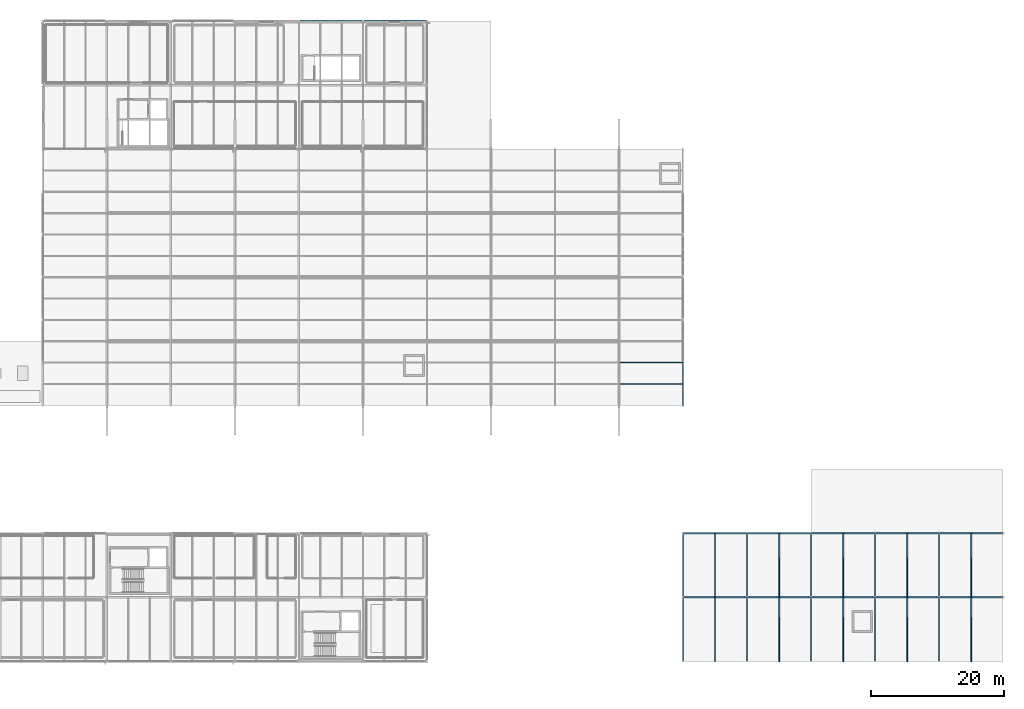
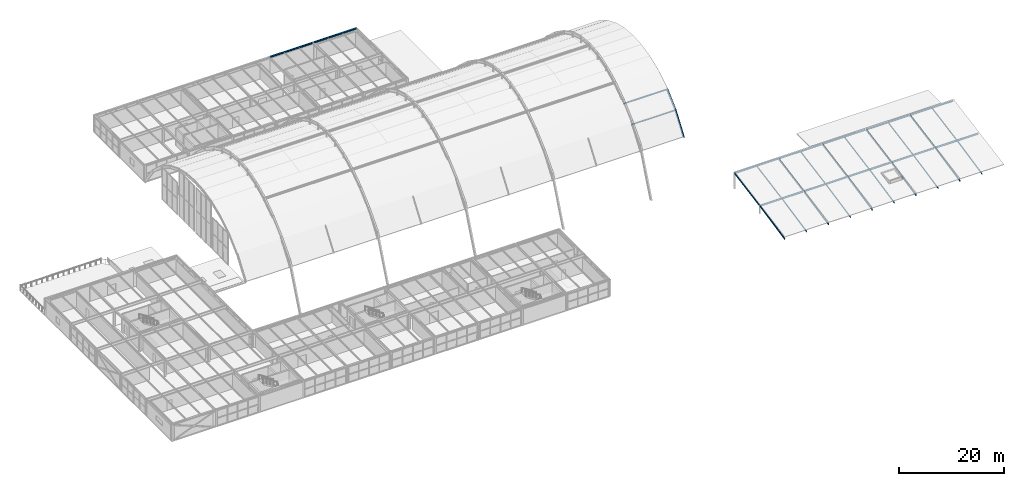
# One storey, part 94 of 126: 22 members, 14 beams.
"""IFC4 building model written with IfcOpenShell, lengths in metres."""

from ifc_helpers import new_model, si_unit, direction, frame, origin, origin_2d, place, context, subcontext, project, spatial, i_section, extrude, material, material_profile, profile_set, type_object, element, save


model = new_model("IFC4")

# Units and contexts
model_context = context("Model", 3, precision=1e-05, world=origin(), true_north=direction((0.0, 1.0)))
body_context = subcontext(model_context, "Body", "Model", "MODEL_VIEW")
ifc_project = project(units=[si_unit("LENGTHUNIT", "METRE"), si_unit("AREAUNIT", "SQUARE_METRE"), si_unit("VOLUMEUNIT", "CUBIC_METRE"), si_unit("PLANEANGLEUNIT", "RADIAN"), si_unit("MASSUNIT", "GRAM", prefix="KILO")], contexts=[model_context])

# Site, building, storey
site_placement = place(None, origin())
site = spatial("IfcSite", under=ifc_project, at=site_placement, CompositionType="ELEMENT")
building_placement = place(site_placement, origin())
building = spatial("IfcBuilding", under=site, at=building_placement, Name="Coralgate Yard Interchange", CompositionType="ELEMENT")
storey_placement = place(building_placement, frame((0.0, 0.0, 10.5)))
storey = spatial("IfcBuildingStorey", under=building, at=storey_placement, Name="L02", CompositionType="ELEMENT", Elevation=10.5)

# Beams
ifc_material_1 = material(Name="Structural steel S355J2", Category="steel")
ifc_material_profile_1 = material_profile(ifc_material_1, i_section(OverallWidth=0.177978515625, OverallDepth=0.406494140625, WebThickness=0.0078125, FlangeThickness=0.0126953125, FilletRadius=0.01025390625, at=origin_2d()), Name="UB 406x178x60")
ifc_profile_set_1 = profile_set([ifc_material_profile_1], Name="Structural steel S355J2")
beam_type_1 = type_object("IfcBeamType", Name="BM-SB-3", PredefinedType="BEAM", material=ifc_profile_set_1)
for number, where, z_axis, x_axis, name in (
    (1, (134.47998046875, 9.60009765625, 1.590087890625), (1.0, 0.0, 0.0), (0.0, 1.0, 0.0), "Cycle hub roof support girder MID-1"),
    (2, (144.080078125, 9.60009765625, 1.590087890625), (1.0, 0.0, 0.0), (0.0, 1.0, 0.0), "Cycle hub roof support girder MID-2"),
):
    element("IfcBeam", number, at=place(storey_placement, frame(where, z_axis=z_axis, x_axis=x_axis)), inside=storey, type_object=beam_type_1, Name=name, PredefinedType="BEAM", context=body_context, shape_type="SweptSolid", body=[
        extrude(i_section(OverallWidth=0.177978515625, OverallDepth=0.406494140625, WebThickness=0.0078125, FlangeThickness=0.0126953125, FilletRadius=0.01025390625, at=origin_2d()), origin(), (0.0, 0.0, 1.0), 9.43994140625),
    ])
beam_1_placement = place(storey_placement, frame((153.679931640625, 9.60009765625, 1.590087890625), z_axis=(1.0, 0.0, 0.0), x_axis=(0.0, 1.0, 0.0)))
element("IfcBeam", 3, at=beam_1_placement, inside=storey, type_object=beam_type_1, Name="Cycle hub roof support girder MID-3", PredefinedType="BEAM", context=body_context, shape_type="SweptSolid", body=[
    extrude(i_section(OverallWidth=0.177978515625, OverallDepth=0.406494140625, WebThickness=0.0078125, FlangeThickness=0.0126953125, FilletRadius=0.01025390625, at=origin_2d()), origin(), (0.0, 0.0, 1.0), 9.440185546875),
])
beam_2_placement = place(storey_placement, frame((163.280029296875, 9.60009765625, 1.590087890625), z_axis=(1.0, 0.0, 0.0), x_axis=(0.0, 1.0, 0.0)))
element("IfcBeam", 4, at=beam_2_placement, inside=storey, type_object=beam_type_1, Name="Cycle hub roof support girder MID-4", PredefinedType="BEAM", context=body_context, shape_type="SweptSolid", body=[
    extrude(i_section(OverallWidth=0.177978515625, OverallDepth=0.406494140625, WebThickness=0.0078125, FlangeThickness=0.0126953125, FilletRadius=0.01025390625, at=origin_2d()), origin(), (0.0, 0.0, 1.0), 9.43994140625),
])
beam_3_placement = place(storey_placement, frame((172.8798828125, 9.60009765625, 1.590087890625), z_axis=(1.0, 0.0, 0.0), x_axis=(0.0, 1.0, 0.0)))
element("IfcBeam", 5, at=beam_3_placement, inside=storey, type_object=beam_type_1, Name="Cycle hub roof support girder MID-5", PredefinedType="BEAM", context=body_context, shape_type="SweptSolid", body=[
    extrude(i_section(OverallWidth=0.177978515625, OverallDepth=0.406494140625, WebThickness=0.0078125, FlangeThickness=0.0126953125, FilletRadius=0.01025390625, at=origin_2d()), origin(), (0.0, 0.0, 1.0), 9.440185546875),
])
ifc_material_profile_2 = material_profile(ifc_material_1, i_section(OverallWidth=0.17138671875, OverallDepth=0.35498046875, WebThickness=0.00732421875, FlangeThickness=0.011474609375, FilletRadius=0.01025390625, at=origin_2d()), Name="UB 356x171x51")
ifc_profile_set_2 = profile_set([ifc_material_profile_2], Name="Structural steel S355J2")
beam_type_2 = type_object("IfcBeamType", Name="BM-SB-4", PredefinedType="BEAM", material=ifc_profile_set_2)
for number, where, z_axis, x_axis, name in (
    (6, (134.47998046875, 19.199951171875, 3.340087890625), (1.0, 0.0, 0.0), (0.0, 1.0, 0.0), "Cycle hub roof support girder HI-1"),
    (7, (144.080078125, 19.199951171875, 3.340087890625), (1.0, 0.0, 0.0), (0.0, 1.0, 0.0), "Cycle hub roof support girder HI-2"),
):
    element("IfcBeam", number, at=place(storey_placement, frame(where, z_axis=z_axis, x_axis=x_axis)), inside=storey, type_object=beam_type_2, Name=name, PredefinedType="BEAM", context=body_context, shape_type="SweptSolid", body=[
        extrude(i_section(OverallWidth=0.17138671875, OverallDepth=0.35498046875, WebThickness=0.00732421875, FlangeThickness=0.011474609375, FilletRadius=0.01025390625, at=origin_2d()), origin(), (0.0, 0.0, 1.0), 9.43994140625),
    ])
beam_4_placement = place(storey_placement, frame((153.679931640625, 19.199951171875, 3.340087890625), z_axis=(1.0, 0.0, 0.0), x_axis=(0.0, 1.0, 0.0)))
element("IfcBeam", 8, at=beam_4_placement, inside=storey, type_object=beam_type_2, Name="Cycle hub roof support girder HI-3", PredefinedType="BEAM", context=body_context, shape_type="SweptSolid", body=[
    extrude(i_section(OverallWidth=0.17138671875, OverallDepth=0.35498046875, WebThickness=0.00732421875, FlangeThickness=0.011474609375, FilletRadius=0.01025390625, at=origin_2d()), origin(), (0.0, 0.0, 1.0), 9.440185546875),
])
beam_5_placement = place(storey_placement, frame((163.280029296875, 19.199951171875, 3.340087890625), z_axis=(1.0, 0.0, 0.0), x_axis=(0.0, 1.0, 0.0)))
element("IfcBeam", 9, at=beam_5_placement, inside=storey, type_object=beam_type_2, Name="Cycle hub roof support girder HI-4", PredefinedType="BEAM", context=body_context, shape_type="SweptSolid", body=[
    extrude(i_section(OverallWidth=0.17138671875, OverallDepth=0.35498046875, WebThickness=0.00732421875, FlangeThickness=0.011474609375, FilletRadius=0.01025390625, at=origin_2d()), origin(), (0.0, 0.0, 1.0), 9.43994140625),
])
beam_6_placement = place(storey_placement, frame((172.8798828125, 19.199951171875, 3.340087890625), z_axis=(1.0, 0.0, 0.0), x_axis=(0.0, 1.0, 0.0)))
element("IfcBeam", 10, at=beam_6_placement, inside=storey, type_object=beam_type_2, Name="Cycle hub roof support girder HI-5", PredefinedType="BEAM", context=body_context, shape_type="SweptSolid", body=[
    extrude(i_section(OverallWidth=0.17138671875, OverallDepth=0.35498046875, WebThickness=0.00732421875, FlangeThickness=0.011474609375, FilletRadius=0.01025390625, at=origin_2d()), origin(), (0.0, 0.0, 1.0), 9.440185546875),
])
ifc_material_profile_3 = material_profile(ifc_material_1, i_section(OverallWidth=0.300048828125, OverallDepth=0.2900390625, WebThickness=0.008544921875, FlangeThickness=0.013916015625, FilletRadius=0.027099609375, at=origin_2d()), Name="HEA 300")
ifc_profile_set_3 = profile_set([ifc_material_profile_3], Name="Structural steel S355J2")
beam_type_3 = type_object("IfcBeamType", Name="BM-SP-2", PredefinedType="SPANDREL", material=ifc_profile_set_3)
beam_7_placement = place(storey_placement, frame((76.92724609375, 96.0, 3.804931640625), z_axis=(1.0, 0.0, 0.0), x_axis=(0.0, 1.0, 0.0)))
element("IfcBeam", 11, at=beam_7_placement, inside=storey, type_object=beam_type_3, Name="L02 primary grid beam Y10 X8-9", PredefinedType="SPANDREL", context=body_context, shape_type="SweptSolid", body=[
    extrude(i_section(OverallWidth=0.300048828125, OverallDepth=0.2900390625, WebThickness=0.008544921875, FlangeThickness=0.013916015625, FilletRadius=0.027099609375, at=origin_2d()), origin(), (0.0, 0.0, 1.0), 9.345458984375),
])
beam_8_placement = place(storey_placement, frame((86.527099609375, 96.0, 3.804931640625), z_axis=(1.0, 0.0, 0.0), x_axis=(0.0, 1.0, 0.0)))
element("IfcBeam", 12, at=beam_8_placement, inside=storey, type_object=beam_type_3, Name="L02 primary grid beam Y10 X9-10", PredefinedType="SPANDREL", context=body_context, shape_type="SweptSolid", body=[
    extrude(i_section(OverallWidth=0.300048828125, OverallDepth=0.2900390625, WebThickness=0.008544921875, FlangeThickness=0.013916015625, FilletRadius=0.027099609375, at=origin_2d()), origin(), (0.0, 0.0, 1.0), 9.345703125),
])
ifc_material_2 = material(Name="Weather-coated structural steel S355J2", Category="steel")
ifc_material_profile_4 = material_profile(ifc_material_2, i_section(OverallWidth=0.209228515625, OverallDepth=0.533203125, WebThickness=0.010009765625, FlangeThickness=0.015625, FilletRadius=0.0126953125, at=origin_2d()), Name="UB 533x210x92")
ifc_profile_set_4 = profile_set([ifc_material_profile_4], Name="Weather-coated structural steel S355J2")
beam_type_4 = type_object("IfcBeamType", Name="BM-VR-1", PredefinedType="BEAM", material=ifc_profile_set_4)
beam_9_placement = place(storey_placement, frame((134.39990234375, 38.39990234375, -0.053466796875), z_axis=(0.0, 0.58185107692, 0.813295348743), x_axis=(-1.0, 0.0, 0.0)))
element("IfcBeam", 13, at=beam_9_placement, inside=storey, type_object=beam_type_4, Name="Barrel-vault gridshell rib 11 seg 1", PredefinedType="BEAM", context=body_context, shape_type="SweptSolid", body=[
    extrude(i_section(OverallWidth=0.209228515625, OverallDepth=0.533203125, WebThickness=0.010009765625, FlangeThickness=0.015625, FilletRadius=0.0126953125, at=origin_2d()), origin(), (0.0, 0.0, 1.0), 5.5),
])
beam_10_placement = place(storey_placement, frame((134.39990234375, 41.60009765625, 4.419677734375), z_axis=(0.0, 0.739475275209, 0.673183717387), x_axis=(-1.0, 0.0, 0.0)))
element("IfcBeam", 14, at=beam_10_placement, inside=storey, type_object=beam_type_4, Name="Barrel-vault gridshell rib 11 seg 2", PredefinedType="BEAM", context=body_context, shape_type="SweptSolid", body=[
    extrude(i_section(OverallWidth=0.209228515625, OverallDepth=0.533203125, WebThickness=0.010009765625, FlangeThickness=0.015625, FilletRadius=0.0126953125, at=origin_2d()), origin(), (0.0, 0.0, 1.0), 4.327392578125),
])

# Members
ifc_material_profile_5 = material_profile(ifc_material_2, i_section(OverallWidth=0.110107421875, OverallDepth=0.219970703125, WebThickness=0.005859375, FlangeThickness=0.00927734375, FilletRadius=0.011962890625, at=origin_2d()), Name="IPE 220")
ifc_profile_set_5 = profile_set([ifc_material_profile_5], Name="Weather-coated structural steel S355J2")
member_type_1 = type_object("IfcMemberType", Name="MB-PR-1", PredefinedType="PURLIN", material=ifc_profile_set_5)
member_1_placement = place(storey_placement, frame((124.802001953125, 44.800048828125, 7.2392578125), z_axis=(1.0, 0.0, 0.0), x_axis=(0.0, 1.0, 0.0)))
element("IfcMember", 15, at=member_1_placement, inside=storey, type_object=member_type_1, Name="Barrel-vault gridshell purlin 10-3", PredefinedType="PURLIN", context=body_context, shape_type="SweptSolid", body=[
    extrude(i_section(OverallWidth=0.110107421875, OverallDepth=0.219970703125, WebThickness=0.005859375, FlangeThickness=0.00927734375, FilletRadius=0.011962890625, at=origin_2d()), origin(), (0.0, 0.0, 1.0), 9.595947265625),
])
ifc_material_3 = material(Name="Off-white architectural structural steel S355J2", Category="steel")
ifc_material_profile_6 = material_profile(ifc_material_3, i_section(OverallWidth=0.091064453125, OverallDepth=0.179931640625, WebThickness=0.00537109375, FlangeThickness=0.008056640625, FilletRadius=0.009033203125, at=origin_2d()), Name="IPE 180")
ifc_profile_set_6 = profile_set([ifc_material_profile_6], Name="Off-white architectural structural steel S355J2")
member_type_2 = type_object("IfcMemberType", Name="MB-PR-2", PredefinedType="PURLIN", material=ifc_profile_set_6)
member_2_placement = place(storey_placement, frame((124.802001953125, 41.60009765625, 4.3662109375), z_axis=(1.0, 0.0, 0.0), x_axis=(0.0, 1.0, 0.0)))
element("IfcMember", 16, at=member_2_placement, inside=storey, type_object=member_type_2, Name="Barrel-vault gridshell purlin 10-2", PredefinedType="PURLIN", context=body_context, shape_type="SweptSolid", body=[
    extrude(i_section(OverallWidth=0.091064453125, OverallDepth=0.179931640625, WebThickness=0.00537109375, FlangeThickness=0.008056640625, FilletRadius=0.009033203125, at=origin_2d()), origin(), (0.0, 0.0, 1.0), 9.595947265625),
])
ifc_material_profile_7 = material_profile(ifc_material_2, i_section(OverallWidth=0.159912109375, OverallDepth=0.330078125, WebThickness=0.007568359375, FlangeThickness=0.011474609375, FilletRadius=0.01806640625, at=origin_2d()), Name="IPE 330")
ifc_profile_set_7 = profile_set([ifc_material_profile_7], Name="Weather-coated structural steel S355J2")
member_type_3 = type_object("IfcMemberType", Name="MB-RF-1", PredefinedType="RAFTER", material=ifc_profile_set_7)
member_3_placement = place(storey_placement, frame((134.39990234375, 0.0, -0.300048828125), z_axis=(0.0, 0.979479292525, 0.201544822597), x_axis=(-1.0, 0.0, 0.0)))
element("IfcMember", 17, at=member_3_placement, inside=storey, type_object=member_type_3, Name="Cycle hub south-span roof rafter 1-1", PredefinedType="RAFTER", context=body_context, shape_type="SweptSolid", body=[
    extrude(i_section(OverallWidth=0.159912109375, OverallDepth=0.330078125, WebThickness=0.007568359375, FlangeThickness=0.011474609375, FilletRadius=0.01806640625, at=origin_2d()), origin(), (0.0, 0.0, 1.0), 9.750244140625),
])
member_4_placement = place(storey_placement, frame((134.39990234375, 9.64990234375, 1.6650390625), z_axis=(0.0, 0.983453188589, 0.181162429477), x_axis=(-1.0, 0.0, 0.0)))
element("IfcMember", 18, at=member_4_placement, inside=storey, type_object=member_type_3, Name="Cycle hub north-span roof rafter 1-1", PredefinedType="RAFTER", context=body_context, shape_type="SweptSolid", body=[
    extrude(i_section(OverallWidth=0.159912109375, OverallDepth=0.330078125, WebThickness=0.007568359375, FlangeThickness=0.011474609375, FilletRadius=0.01806640625, at=origin_2d()), origin(), (0.0, 0.0, 1.0), 9.659912109375),
])
member_5_placement = place(storey_placement, frame((144.0, 0.0, -0.300048828125), z_axis=(0.0, 0.979479292525, 0.201544822597), x_axis=(-1.0, 0.0, 0.0)))
element("IfcMember", 19, at=member_5_placement, inside=storey, type_object=member_type_3, Name="Cycle hub south-span roof rafter 2-1", PredefinedType="RAFTER", context=body_context, shape_type="SweptSolid", body=[
    extrude(i_section(OverallWidth=0.159912109375, OverallDepth=0.330078125, WebThickness=0.007568359375, FlangeThickness=0.011474609375, FilletRadius=0.01806640625, at=origin_2d()), origin(), (0.0, 0.0, 1.0), 9.750244140625),
])
member_6_placement = place(storey_placement, frame((144.0, 9.64990234375, 1.6650390625), z_axis=(0.0, 0.983453188589, 0.181162429477), x_axis=(-1.0, 0.0, 0.0)))
element("IfcMember", 20, at=member_6_placement, inside=storey, type_object=member_type_3, Name="Cycle hub north-span roof rafter 2-1", PredefinedType="RAFTER", context=body_context, shape_type="SweptSolid", body=[
    extrude(i_section(OverallWidth=0.159912109375, OverallDepth=0.330078125, WebThickness=0.007568359375, FlangeThickness=0.011474609375, FilletRadius=0.01806640625, at=origin_2d()), origin(), (0.0, 0.0, 1.0), 9.659912109375),
])
member_7_placement = place(storey_placement, frame((153.60009765625, 0.0, -0.300048828125), z_axis=(0.0, 0.979479292525, 0.201544822597), x_axis=(-1.0, 0.0, 0.0)))
element("IfcMember", 21, at=member_7_placement, inside=storey, type_object=member_type_3, Name="Cycle hub south-span roof rafter 3-1", PredefinedType="RAFTER", context=body_context, shape_type="SweptSolid", body=[
    extrude(i_section(OverallWidth=0.159912109375, OverallDepth=0.330078125, WebThickness=0.007568359375, FlangeThickness=0.011474609375, FilletRadius=0.01806640625, at=origin_2d()), origin(), (0.0, 0.0, 1.0), 9.750244140625),
])
member_8_placement = place(storey_placement, frame((153.60009765625, 9.64990234375, 1.6650390625), z_axis=(0.0, 0.983453188589, 0.181162429477), x_axis=(-1.0, 0.0, 0.0)))
element("IfcMember", 22, at=member_8_placement, inside=storey, type_object=member_type_3, Name="Cycle hub north-span roof rafter 3-1", PredefinedType="RAFTER", context=body_context, shape_type="SweptSolid", body=[
    extrude(i_section(OverallWidth=0.159912109375, OverallDepth=0.330078125, WebThickness=0.007568359375, FlangeThickness=0.011474609375, FilletRadius=0.01806640625, at=origin_2d()), origin(), (0.0, 0.0, 1.0), 9.659912109375),
])
member_9_placement = place(storey_placement, frame((163.199951171875, 0.0, -0.300048828125), z_axis=(0.0, 0.979479292525, 0.201544822597), x_axis=(-1.0, 0.0, 0.0)))
element("IfcMember", 23, at=member_9_placement, inside=storey, type_object=member_type_3, Name="Cycle hub south-span roof rafter 4-1", PredefinedType="RAFTER", context=body_context, shape_type="SweptSolid", body=[
    extrude(i_section(OverallWidth=0.159912109375, OverallDepth=0.330078125, WebThickness=0.007568359375, FlangeThickness=0.011474609375, FilletRadius=0.01806640625, at=origin_2d()), origin(), (0.0, 0.0, 1.0), 9.750244140625),
])
member_10_placement = place(storey_placement, frame((163.199951171875, 9.64990234375, 1.6650390625), z_axis=(0.0, 0.983453188589, 0.181162429477), x_axis=(-1.0, 0.0, 0.0)))
element("IfcMember", 24, at=member_10_placement, inside=storey, type_object=member_type_3, Name="Cycle hub north-span roof rafter 4-1", PredefinedType="RAFTER", context=body_context, shape_type="SweptSolid", body=[
    extrude(i_section(OverallWidth=0.159912109375, OverallDepth=0.330078125, WebThickness=0.007568359375, FlangeThickness=0.011474609375, FilletRadius=0.01806640625, at=origin_2d()), origin(), (0.0, 0.0, 1.0), 9.659912109375),
])
member_11_placement = place(storey_placement, frame((172.800048828125, 0.0, -0.300048828125), z_axis=(0.0, 0.979479292525, 0.201544822597), x_axis=(-1.0, 0.0, 0.0)))
element("IfcMember", 25, at=member_11_placement, inside=storey, type_object=member_type_3, Name="Cycle hub south-span roof rafter 5-1", PredefinedType="RAFTER", context=body_context, shape_type="SweptSolid", body=[
    extrude(i_section(OverallWidth=0.159912109375, OverallDepth=0.330078125, WebThickness=0.007568359375, FlangeThickness=0.011474609375, FilletRadius=0.01806640625, at=origin_2d()), origin(), (0.0, 0.0, 1.0), 9.750244140625),
])
member_12_placement = place(storey_placement, frame((172.800048828125, 9.64990234375, 1.6650390625), z_axis=(0.0, 0.983453188589, 0.181162429477), x_axis=(-1.0, 0.0, 0.0)))
element("IfcMember", 26, at=member_12_placement, inside=storey, type_object=member_type_3, Name="Cycle hub north-span roof rafter 5-1", PredefinedType="RAFTER", context=body_context, shape_type="SweptSolid", body=[
    extrude(i_section(OverallWidth=0.159912109375, OverallDepth=0.330078125, WebThickness=0.007568359375, FlangeThickness=0.011474609375, FilletRadius=0.01806640625, at=origin_2d()), origin(), (0.0, 0.0, 1.0), 9.659912109375),
])
ifc_material_profile_8 = material_profile(ifc_material_2, i_section(OverallWidth=0.135009765625, OverallDepth=0.27001953125, WebThickness=0.006591796875, FlangeThickness=0.01025390625, FilletRadius=0.014892578125, at=origin_2d()), Name="IPE 270")
ifc_profile_set_8 = profile_set([ifc_material_profile_8], Name="Weather-coated structural steel S355J2")
member_type_4 = type_object("IfcMemberType", Name="MB-RF-2", PredefinedType="RAFTER", material=ifc_profile_set_8)
member_13_placement = place(storey_placement, frame((139.199951171875, 0.0, -0.300048828125), z_axis=(0.0, 0.978867223773, 0.204496841595), x_axis=(-1.0, 0.0, 0.0)))
element("IfcMember", 27, at=member_13_placement, inside=storey, type_object=member_type_4, Name="Cycle hub south-span roof rafter 1-2", PredefinedType="RAFTER", context=body_context, shape_type="SweptSolid", body=[
    extrude(i_section(OverallWidth=0.135009765625, OverallDepth=0.27001953125, WebThickness=0.006591796875, FlangeThickness=0.01025390625, FilletRadius=0.014892578125, at=origin_2d()), origin(), (0.0, 0.0, 1.0), 9.756103515625),
])
member_14_placement = place(storey_placement, frame((139.199951171875, 9.64990234375, 1.695068359375), z_axis=(0.0, 0.983453188589, 0.181162429477), x_axis=(-1.0, 0.0, 0.0)))
element("IfcMember", 28, at=member_14_placement, inside=storey, type_object=member_type_4, Name="Cycle hub north-span roof rafter 1-2", PredefinedType="RAFTER", context=body_context, shape_type="SweptSolid", body=[
    extrude(i_section(OverallWidth=0.135009765625, OverallDepth=0.27001953125, WebThickness=0.006591796875, FlangeThickness=0.01025390625, FilletRadius=0.014892578125, at=origin_2d()), origin(), (0.0, 0.0, 1.0), 9.659912109375),
])
member_15_placement = place(storey_placement, frame((148.800048828125, 0.0, -0.300048828125), z_axis=(0.0, 0.978867223773, 0.204496841595), x_axis=(-1.0, 0.0, 0.0)))
element("IfcMember", 29, at=member_15_placement, inside=storey, type_object=member_type_4, Name="Cycle hub south-span roof rafter 2-2", PredefinedType="RAFTER", context=body_context, shape_type="SweptSolid", body=[
    extrude(i_section(OverallWidth=0.135009765625, OverallDepth=0.27001953125, WebThickness=0.006591796875, FlangeThickness=0.01025390625, FilletRadius=0.014892578125, at=origin_2d()), origin(), (0.0, 0.0, 1.0), 9.756103515625),
])
member_16_placement = place(storey_placement, frame((148.800048828125, 9.64990234375, 1.695068359375), z_axis=(0.0, 0.983453188589, 0.181162429477), x_axis=(-1.0, 0.0, 0.0)))
element("IfcMember", 30, at=member_16_placement, inside=storey, type_object=member_type_4, Name="Cycle hub north-span roof rafter 2-2", PredefinedType="RAFTER", context=body_context, shape_type="SweptSolid", body=[
    extrude(i_section(OverallWidth=0.135009765625, OverallDepth=0.27001953125, WebThickness=0.006591796875, FlangeThickness=0.01025390625, FilletRadius=0.014892578125, at=origin_2d()), origin(), (0.0, 0.0, 1.0), 9.659912109375),
])
member_17_placement = place(storey_placement, frame((158.39990234375, 0.0, -0.300048828125), z_axis=(0.0, 0.978867223773, 0.204496841595), x_axis=(-1.0, 0.0, 0.0)))
element("IfcMember", 31, at=member_17_placement, inside=storey, type_object=member_type_4, Name="Cycle hub south-span roof rafter 3-2", PredefinedType="RAFTER", context=body_context, shape_type="SweptSolid", body=[
    extrude(i_section(OverallWidth=0.135009765625, OverallDepth=0.27001953125, WebThickness=0.006591796875, FlangeThickness=0.01025390625, FilletRadius=0.014892578125, at=origin_2d()), origin(), (0.0, 0.0, 1.0), 9.756103515625),
])
member_18_placement = place(storey_placement, frame((158.39990234375, 9.64990234375, 1.695068359375), z_axis=(0.0, 0.983453188589, 0.181162429477), x_axis=(-1.0, 0.0, 0.0)))
element("IfcMember", 32, at=member_18_placement, inside=storey, type_object=member_type_4, Name="Cycle hub north-span roof rafter 3-2", PredefinedType="RAFTER", context=body_context, shape_type="SweptSolid", body=[
    extrude(i_section(OverallWidth=0.135009765625, OverallDepth=0.27001953125, WebThickness=0.006591796875, FlangeThickness=0.01025390625, FilletRadius=0.014892578125, at=origin_2d()), origin(), (0.0, 0.0, 1.0), 9.659912109375),
])
member_19_placement = place(storey_placement, frame((168.0, 0.0, -0.300048828125), z_axis=(0.0, 0.978867223773, 0.204496841595), x_axis=(-1.0, 0.0, 0.0)))
element("IfcMember", 33, at=member_19_placement, inside=storey, type_object=member_type_4, Name="Cycle hub south-span roof rafter 4-2", PredefinedType="RAFTER", context=body_context, shape_type="SweptSolid", body=[
    extrude(i_section(OverallWidth=0.135009765625, OverallDepth=0.27001953125, WebThickness=0.006591796875, FlangeThickness=0.01025390625, FilletRadius=0.014892578125, at=origin_2d()), origin(), (0.0, 0.0, 1.0), 9.756103515625),
])
member_20_placement = place(storey_placement, frame((168.0, 9.64990234375, 1.695068359375), z_axis=(0.0, 0.983453188589, 0.181162429477), x_axis=(-1.0, 0.0, 0.0)))
element("IfcMember", 34, at=member_20_placement, inside=storey, type_object=member_type_4, Name="Cycle hub north-span roof rafter 4-2", PredefinedType="RAFTER", context=body_context, shape_type="SweptSolid", body=[
    extrude(i_section(OverallWidth=0.135009765625, OverallDepth=0.27001953125, WebThickness=0.006591796875, FlangeThickness=0.01025390625, FilletRadius=0.014892578125, at=origin_2d()), origin(), (0.0, 0.0, 1.0), 9.659912109375),
])
member_21_placement = place(storey_placement, frame((177.60009765625, 0.0, -0.300048828125), z_axis=(0.0, 0.978867223773, 0.204496841595), x_axis=(-1.0, 0.0, 0.0)))
element("IfcMember", 35, at=member_21_placement, inside=storey, type_object=member_type_4, Name="Cycle hub south-span roof rafter 5-2", PredefinedType="RAFTER", context=body_context, shape_type="SweptSolid", body=[
    extrude(i_section(OverallWidth=0.135009765625, OverallDepth=0.27001953125, WebThickness=0.006591796875, FlangeThickness=0.01025390625, FilletRadius=0.014892578125, at=origin_2d()), origin(), (0.0, 0.0, 1.0), 9.756103515625),
])
member_22_placement = place(storey_placement, frame((177.60009765625, 9.64990234375, 1.695068359375), z_axis=(0.0, 0.983453188589, 0.181162429477), x_axis=(-1.0, 0.0, 0.0)))
element("IfcMember", 36, at=member_22_placement, inside=storey, type_object=member_type_4, Name="Cycle hub north-span roof rafter 5-2", PredefinedType="RAFTER", context=body_context, shape_type="SweptSolid", body=[
    extrude(i_section(OverallWidth=0.135009765625, OverallDepth=0.27001953125, WebThickness=0.006591796875, FlangeThickness=0.01025390625, FilletRadius=0.014892578125, at=origin_2d()), origin(), (0.0, 0.0, 1.0), 9.659912109375),
])

save(model, "model.ifc")
